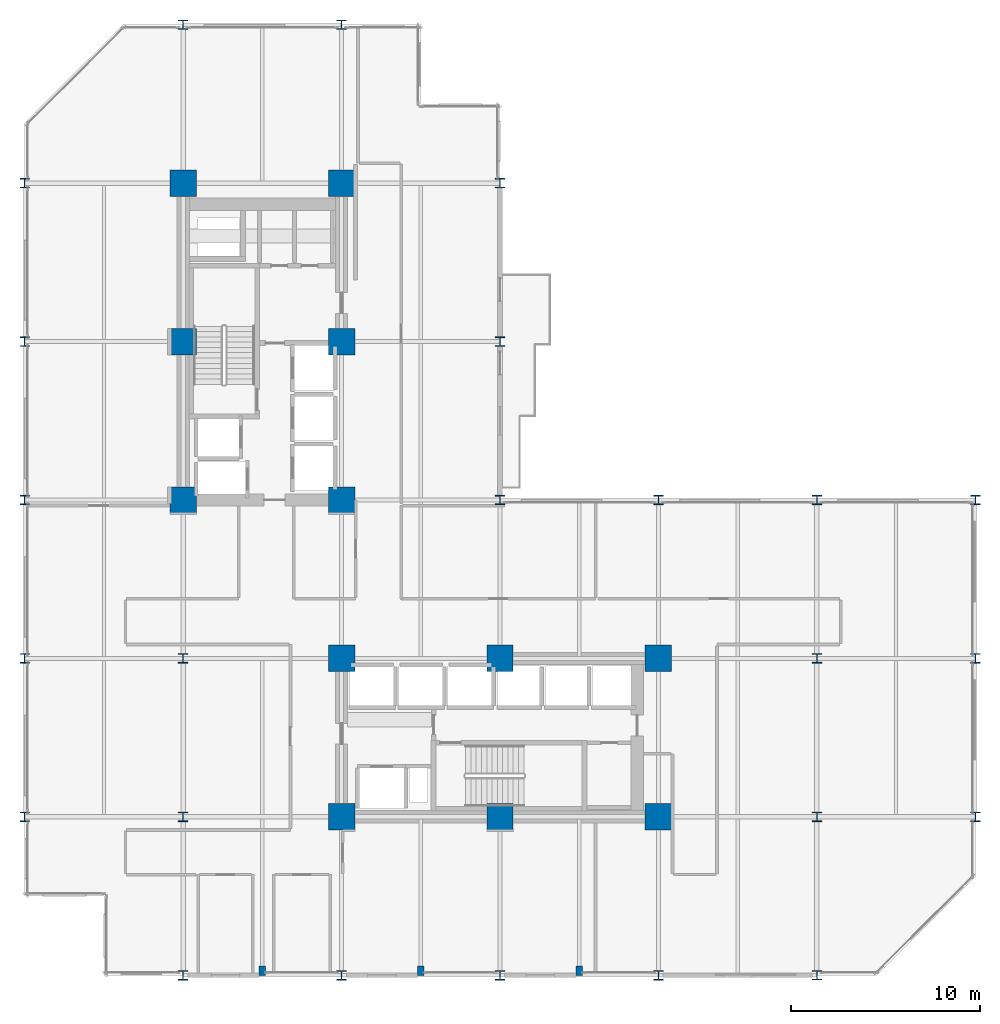
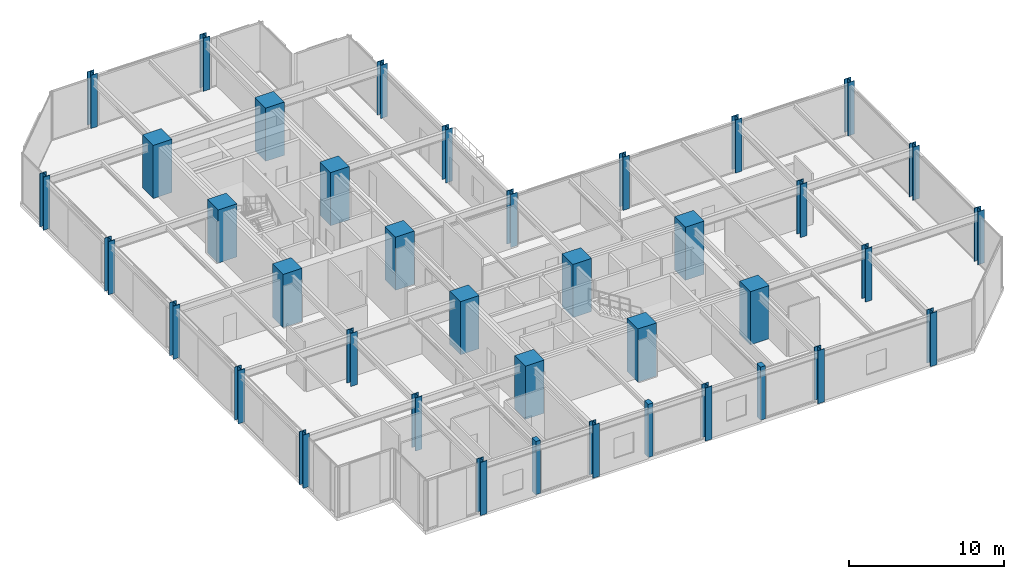
# One storey, part 1 of 24: 39 columns.
"""IFC4 building model written with IfcOpenShell, lengths in metres."""

from ifc_helpers import new_model, si_unit, direction, frame, origin, origin_2d, place, context, subcontext, project, spatial, rectangle, i_section, extrude, material, material_profile, profile_set, type_object, element, save


model = new_model("IFC4")

# Units and contexts
model_context = context("Model", 3, precision=1e-05, world=origin(), true_north=direction((0.0, 1.0)))
body_context = subcontext(model_context, "Body", "Model", "MODEL_VIEW")
ifc_project = project(units=[si_unit("LENGTHUNIT", "METRE"), si_unit("AREAUNIT", "SQUARE_METRE"), si_unit("VOLUMEUNIT", "CUBIC_METRE"), si_unit("PLANEANGLEUNIT", "RADIAN"), si_unit("MASSUNIT", "GRAM", prefix="KILO")], contexts=[model_context])

# Site, building, storey
site_placement = place(None, origin())
site = spatial("IfcSite", under=ifc_project, at=site_placement, CompositionType="ELEMENT")
building_placement = place(site_placement, origin())
building = spatial("IfcBuilding", under=site, at=building_placement, Name="Nerrivon Quay Data Exchange", CompositionType="ELEMENT")
storey_placement = place(building_placement, frame((0.0, 0.0, 37.39990234375)))
storey = spatial("IfcBuildingStorey", under=building, at=storey_placement, Name="L08", CompositionType="ELEMENT", Elevation=37.39990234375)

# Columns
ifc_material_1 = material(Name="Concrete N80 (80 MPa)", Category="concrete")
ifc_material_profile_1 = material_profile(ifc_material_1, rectangle(XDim=1.39990234375, YDim=1.39990234375, at=origin_2d()), Name="RC-COL-1400x1400")
ifc_profile_set_1 = profile_set([ifc_material_profile_1], Name="Concrete N80 (80 MPa)")
column_type_1 = type_object("IfcColumnType", Name="COL-C2-1400", PredefinedType="COLUMN", material=ifc_profile_set_1)
for number, where, z_axis, x_axis, name in (
    (1, (8.39990234375, 25.199951171875, 0.0), (0.0, 0.0, 1.0), (1.0, 0.0, 0.0), "L08 Column (8.4,25.2)"),
    (2, (8.39990234375, 33.60009765625, 0.0), (0.0, 0.0, 1.0), (1.0, 0.0, 0.0), "L08 Column (8.4,33.6)"),
    (3, (8.39990234375, 42.0, 0.0), (0.0, 0.0, 1.0), (1.0, 0.0, 0.0), "L08 Column (8.4,42.0)"),
    (4, (16.800048828125, 8.39990234375, 0.0), (0.0, 0.0, 1.0), (1.0, 0.0, 0.0), "L08 Column (16.8,8.4)"),
    (5, (16.800048828125, 16.800048828125, 0.0), (0.0, 0.0, 1.0), (1.0, 0.0, 0.0), "L08 Column (16.8,16.8)"),
    (6, (16.800048828125, 25.199951171875, 0.0), (0.0, 0.0, 1.0), (1.0, 0.0, 0.0), "L08 Column (16.8,25.2)"),
    (7, (16.800048828125, 33.60009765625, 0.0), (0.0, 0.0, 1.0), (1.0, 0.0, 0.0), "L08 Column (16.8,33.6)"),
    (8, (16.800048828125, 42.0, 0.0), (0.0, 0.0, 1.0), (1.0, 0.0, 0.0), "L08 Column (16.8,42.0)"),
    (9, (25.199951171875, 8.39990234375, 0.0), (0.0, 0.0, 1.0), (1.0, 0.0, 0.0), "L08 Column (25.2,8.4)"),
    (10, (25.199951171875, 16.800048828125, 0.0), (0.0, 0.0, 1.0), (1.0, 0.0, 0.0), "L08 Column (25.2,16.8)"),
    (11, (33.60009765625, 8.39990234375, 0.0), (0.0, 0.0, 1.0), (1.0, 0.0, 0.0), "L08 Column (33.6,8.4)"),
    (12, (33.60009765625, 16.800048828125, 0.0), (0.0, 0.0, 1.0), (1.0, 0.0, 0.0), "L08 Column (33.6,16.8)"),
):
    element("IfcColumn", number, at=place(storey_placement, frame(where, z_axis=z_axis, x_axis=x_axis)), inside=storey, type_object=column_type_1, Name=name, PredefinedType="COLUMN", context=body_context, shape_type="SweptSolid", body=[
        extrude(rectangle(XDim=1.39990234375, YDim=1.39990234375, at=origin_2d()), origin(), (0.0, 0.0, 1.0), 4.2001953125),
    ])
ifc_material_2 = material(Name="Steel Grade 350", Category="steel")
ifc_material_profile_2 = material_profile(ifc_material_2, i_section(OverallWidth=0.5, OverallDepth=0.5, WebThickness=0.028076171875, FlangeThickness=0.0400390625, at=origin_2d()), Name="500WC440")
ifc_profile_set_2 = profile_set([ifc_material_profile_2], Name="Steel Grade 350")
column_type_2 = type_object("IfcColumnType", Name="COL-SC1-500WC", PredefinedType="COLUMN", material=ifc_profile_set_2)
for number, where, z_axis, x_axis, name in (
    (13, (0.0, 8.39990234375, 0.0), (0.0, 0.0, 1.0), (1.0, 0.0, 0.0), "L08 Column (0.0,8.4)"),
    (14, (0.0, 16.800048828125, 0.0), (0.0, 0.0, 1.0), (1.0, 0.0, 0.0), "L08 Column (0.0,16.8)"),
    (15, (0.0, 25.199951171875, 0.0), (0.0, 0.0, 1.0), (1.0, 0.0, 0.0), "L08 Column (0.0,25.2)"),
    (16, (0.0, 33.60009765625, 0.0), (0.0, 0.0, 1.0), (1.0, 0.0, 0.0), "L08 Column (0.0,33.6)"),
    (17, (0.0, 42.0, 0.0), (0.0, 0.0, 1.0), (1.0, 0.0, 0.0), "L08 Column (0.0,42.0)"),
    (18, (8.39990234375, 0.0, 0.0), (0.0, 0.0, 1.0), (1.0, 0.0, 0.0), "L08 Column (8.4,0.0)"),
    (19, (8.39990234375, 8.39990234375, 0.0), (0.0, 0.0, 1.0), (1.0, 0.0, 0.0), "L08 Column (8.4,8.4)"),
    (20, (8.39990234375, 16.800048828125, 0.0), (0.0, 0.0, 1.0), (1.0, 0.0, 0.0), "L08 Column (8.4,16.8)"),
    (21, (8.39990234375, 50.39990234375, 0.0), (0.0, 0.0, 1.0), (1.0, 0.0, 0.0), "L08 Column (8.4,50.4)"),
    (22, (16.800048828125, 0.0, 0.0), (0.0, 0.0, 1.0), (1.0, 0.0, 0.0), "L08 Column (16.8,0.0)"),
    (23, (16.800048828125, 50.39990234375, 0.0), (0.0, 0.0, 1.0), (1.0, 0.0, 0.0), "L08 Column (16.8,50.4)"),
    (24, (25.199951171875, 0.0, 0.0), (0.0, 0.0, 1.0), (1.0, 0.0, 0.0), "L08 Column (25.2,0.0)"),
    (25, (25.199951171875, 25.199951171875, 0.0), (0.0, 0.0, 1.0), (1.0, 0.0, 0.0), "L08 Column (25.2,25.2)"),
    (26, (25.199951171875, 33.60009765625, 0.0), (0.0, 0.0, 1.0), (1.0, 0.0, 0.0), "L08 Column (25.2,33.6)"),
    (27, (25.199951171875, 42.0, 0.0), (0.0, 0.0, 1.0), (1.0, 0.0, 0.0), "L08 Column (25.2,42.0)"),
    (28, (33.60009765625, 0.0, 0.0), (0.0, 0.0, 1.0), (1.0, 0.0, 0.0), "L08 Column (33.6,0.0)"),
    (29, (33.60009765625, 25.199951171875, 0.0), (0.0, 0.0, 1.0), (1.0, 0.0, 0.0), "L08 Column (33.6,25.2)"),
    (30, (42.0, 0.0, 0.0), (0.0, 0.0, 1.0), (1.0, 0.0, 0.0), "L08 Column (42.0,0.0)"),
    (31, (42.0, 8.39990234375, 0.0), (0.0, 0.0, 1.0), (1.0, 0.0, 0.0), "L08 Column (42.0,8.4)"),
    (32, (42.0, 16.800048828125, 0.0), (0.0, 0.0, 1.0), (1.0, 0.0, 0.0), "L08 Column (42.0,16.8)"),
    (33, (42.0, 25.199951171875, 0.0), (0.0, 0.0, 1.0), (1.0, 0.0, 0.0), "L08 Column (42.0,25.2)"),
    (34, (50.39990234375, 8.39990234375, 0.0), (0.0, 0.0, 1.0), (1.0, 0.0, 0.0), "L08 Column (50.4,8.4)"),
    (35, (50.39990234375, 16.800048828125, 0.0), (0.0, 0.0, 1.0), (1.0, 0.0, 0.0), "L08 Column (50.4,16.8)"),
    (36, (50.39990234375, 25.199951171875, 0.0), (0.0, 0.0, 1.0), (1.0, 0.0, 0.0), "L08 Column (50.4,25.2)"),
):
    element("IfcColumn", number, at=place(storey_placement, frame(where, z_axis=z_axis, x_axis=x_axis)), inside=storey, type_object=column_type_2, Name=name, PredefinedType="COLUMN", context=body_context, shape_type="SweptSolid", body=[
        extrude(i_section(OverallWidth=0.5, OverallDepth=0.5, WebThickness=0.028076171875, FlangeThickness=0.0400390625, at=origin_2d()), origin(), (0.0, 0.0, 1.0), 4.2001953125),
    ])
ifc_material_3 = material(Name="Concrete N50 (50 MPa)", Category="concrete")
ifc_material_profile_3 = material_profile(ifc_material_3, rectangle(XDim=0.35009765625, YDim=0.5, at=origin_2d()), Name="RC-PIL-500x350")
ifc_profile_set_3 = profile_set([ifc_material_profile_3], Name="Concrete N50 (50 MPa)")
column_type_3 = type_object("IfcColumnType", Name="PIL-P2-500x350", PredefinedType="PILASTER", material=ifc_profile_set_3)
for number, where, z_axis, x_axis, name in (
    (37, (12.60009765625, 0.25, 0.0), (0.0, 0.0, 1.0), (1.0, 0.0, 0.0), "L08 Facade Pilaster (12.6)"),
    (38, (21.0, 0.25, 0.0), (0.0, 0.0, 1.0), (1.0, 0.0, 0.0), "L08 Facade Pilaster (21.0)"),
    (39, (29.39990234375, 0.25, 0.0), (0.0, 0.0, 1.0), (1.0, 0.0, 0.0), "L08 Facade Pilaster (29.4)"),
):
    element("IfcColumn", number, at=place(storey_placement, frame(where, z_axis=z_axis, x_axis=x_axis)), inside=storey, type_object=column_type_3, Name=name, PredefinedType="PILASTER", context=body_context, shape_type="SweptSolid", body=[
        extrude(rectangle(XDim=0.35009765625, YDim=0.5, at=origin_2d()), origin(), (0.0, 0.0, 1.0), 4.2001953125),
    ])

save(model, "model.ifc")
